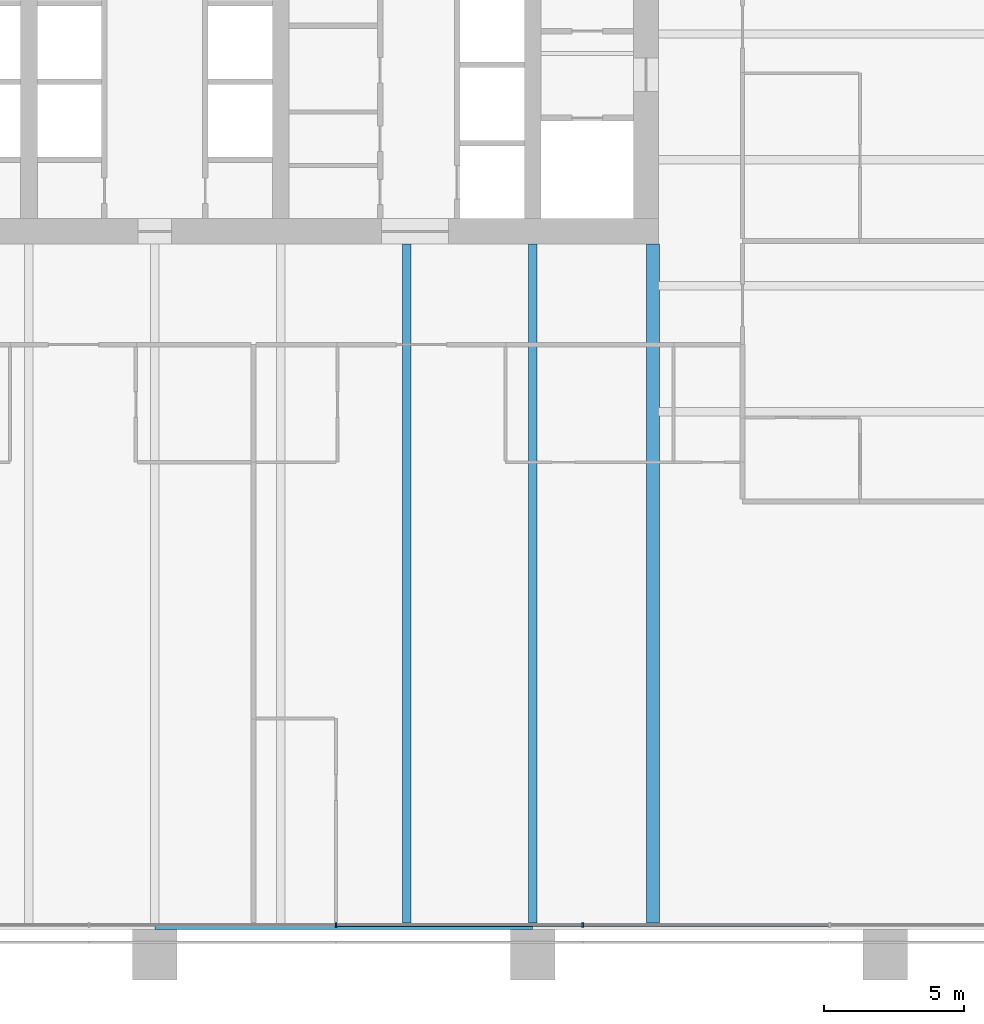
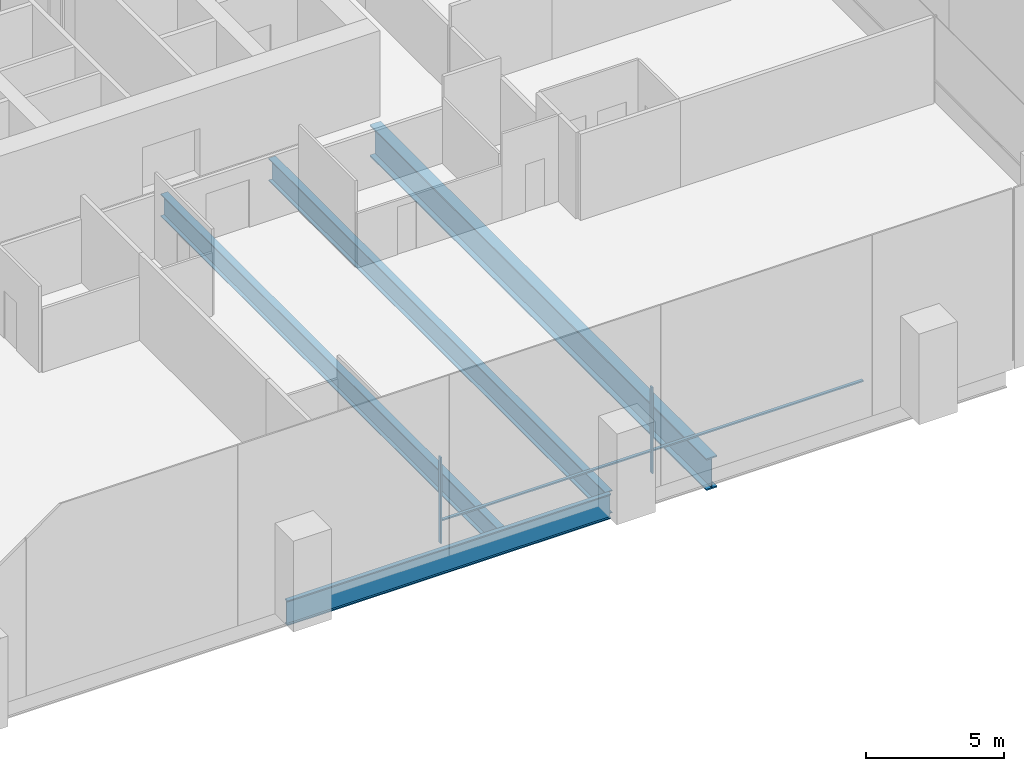
# One storey, part 5 of 19: 4 beams, 4 members, 1 element without a shape of its own.
"""IFC4 building model written with IfcOpenShell, lengths in metres."""

from ifc_helpers import new_model, si_unit, direction, frame, origin, origin_2d, place, context, subcontext, project, spatial, rectangle, i_section, extrude, material, material_profile, profile_set, type_object, element, aggregate, save


model = new_model("IFC4")

# Units and contexts
model_context = context("Model", 3, precision=1e-05, world=origin(), true_north=direction((0.0, 1.0)))
body_context = subcontext(model_context, "Body", "Model", "MODEL_VIEW")
ifc_project = project(units=[si_unit("LENGTHUNIT", "METRE"), si_unit("AREAUNIT", "SQUARE_METRE"), si_unit("VOLUMEUNIT", "CUBIC_METRE"), si_unit("PLANEANGLEUNIT", "RADIAN"), si_unit("MASSUNIT", "GRAM", prefix="KILO")], contexts=[model_context])

# Site, building, storey
site_placement = place(None, origin())
site = spatial("IfcSite", under=ifc_project, at=site_placement, CompositionType="ELEMENT")
building_placement = place(site_placement, origin())
building = spatial("IfcBuilding", under=site, at=building_placement, Name="Rattan Terrace Tower", CompositionType="ELEMENT")
storey_placement = place(building_placement, frame((0.0, 0.0, 79.699951171875)))
storey = spatial("IfcBuildingStorey", under=building, at=storey_placement, Name="L17", CompositionType="ELEMENT", Elevation=79.699951171875)

# Curtain wall, members
ifc_material_1 = material(Name="Aluminium and glass", Category="aluminium")
curtain_wall_type = type_object("IfcCurtainWallType", Name="Facade Unitised Curtain Wall", PredefinedType="NOTDEFINED", material=ifc_material_1)
curtain_wall_placement = place(storey_placement, origin())
curtain_wall = element("IfcCurtainWall", 1, at=curtain_wall_placement, inside=storey, type_object=curtain_wall_type, Name="Curtain wall L17-4", PredefinedType="NOTDEFINED")
ifc_material_2 = material(Name="Aluminium", Category="aluminium")
ifc_material_profile_1 = material_profile(ifc_material_2, rectangle(XDim=0.06005859375, YDim=0.159912109375, at=origin_2d()), Name="Aluminium 60x160")
ifc_profile_set_1 = profile_set([ifc_material_profile_1], Name="Aluminium")
member_type_1 = type_object("IfcMemberType", Name="Facade CW Mullion 60x160", PredefinedType="MULLION", material=ifc_profile_set_1)
member_1_placement = place(storey_placement, frame((6.468994140625, -31.830078125, 0.0), z_axis=(0.0, 0.0, 1.0), x_axis=(1.0, 0.0, 0.0)))
member_1 = element("IfcMember", 2, at=member_1_placement, type_object=member_type_1, Name="Mullion cwl-L17-004.4", PredefinedType="MULLION", context=body_context, shape_type="SweptSolid", body=[
    extrude(rectangle(XDim=0.06005859375, YDim=0.159912109375, at=origin_2d()), origin(), (0.0, 0.0, 1.0), 3.800048828125),
])
member_2_placement = place(storey_placement, frame((15.2919921875, -31.830078125, 0.0), z_axis=(0.0, 0.0, 1.0), x_axis=(1.0, 0.0, 0.0)))
member_2 = element("IfcMember", 3, at=member_2_placement, type_object=member_type_1, Name="Mullion cwl-L17-004.5", PredefinedType="MULLION", context=body_context, shape_type="SweptSolid", body=[
    extrude(rectangle(XDim=0.06005859375, YDim=0.159912109375, at=origin_2d()), origin(), (0.0, 0.0, 1.0), 3.800048828125),
])
ifc_material_3 = material(Name="Aluminium", Category="aluminium")
ifc_material_profile_2 = material_profile(ifc_material_3, rectangle(XDim=0.1201171875, YDim=0.06005859375, at=origin_2d()), Name="Aluminium 120x60")
ifc_profile_set_2 = profile_set([ifc_material_profile_2], Name="Aluminium")
member_type_2 = type_object("IfcMemberType", Name="Facade CW Transom 120x60", PredefinedType="USERDEFINED", material=ifc_profile_set_2)
member_3_placement = place(storey_placement, frame((6.4990234375, -31.830078125, 1.0), z_axis=(1.0, 0.0, 0.0), x_axis=(0.0, 1.0, 0.0)))
member_3 = element("IfcMember", 4, at=member_3_placement, type_object=member_type_2, Name="Transom cwl-L17-004.4", ObjectType="TRANSOM", PredefinedType="USERDEFINED", context=body_context, shape_type="SweptSolid", body=[
    extrude(rectangle(XDim=0.1201171875, YDim=0.06005859375, at=origin_2d()), origin(), (0.0, 0.0, 1.0), 8.762939453125),
])
member_4_placement = place(storey_placement, frame((15.322021484375, -31.830078125, 1.0), z_axis=(1.0, 0.0, 0.0), x_axis=(0.0, 1.0, 0.0)))
member_4 = element("IfcMember", 5, at=member_4_placement, type_object=member_type_2, Name="Transom cwl-L17-004.5", ObjectType="TRANSOM", PredefinedType="USERDEFINED", context=body_context, shape_type="SweptSolid", body=[
    extrude(rectangle(XDim=0.1201171875, YDim=0.06005859375, at=origin_2d()), origin(), (0.0, 0.0, 1.0), 8.762939453125),
])
aggregate(curtain_wall, [member_1, member_2, member_3, member_4])

# Beams
ifc_material_4 = material(Name="Steel S460", Category="steel")
ifc_material_profile_3 = material_profile(ifc_material_4, i_section(OverallWidth=0.449951171875, OverallDepth=1.39990234375, WebThickness=0.02197265625, FlangeThickness=0.054931640625, at=origin_2d()), Name="PG 1400x450-22-55")
ifc_profile_set_3 = profile_set([ifc_material_profile_3], Name="Steel S460")
beam_type_1 = type_object("IfcBeamType", Name="Frame core girder PG 1400x450-22-55", PredefinedType="BEAM", material=ifc_profile_set_3)
beam_1_placement = place(storey_placement, frame((17.800048828125, -31.820068359375, -0.89990234375), z_axis=(0.0, 1.0, 0.0), x_axis=(-1.0, 0.0, 0.0)))
element("IfcBeam", 6, at=beam_1_placement, inside=storey, type_object=beam_type_1, Name="gdr-L17-009", PredefinedType="BEAM", context=body_context, shape_type="SweptSolid", body=[
    extrude(i_section(OverallWidth=0.449951171875, OverallDepth=1.39990234375, WebThickness=0.02197265625, FlangeThickness=0.054931640625, at=origin_2d()), origin(), (0.0, 0.0, 1.0), 24.320068359375),
])
ifc_material_5 = material(Name="Steel S460", Category="steel")
ifc_material_profile_4 = material_profile(ifc_material_5, i_section(OverallWidth=0.179931640625, OverallDepth=1.10009765625, WebThickness=0.01611328125, FlangeThickness=0.050048828125, at=origin_2d()), Name="PG 1100x180-16-50")
ifc_profile_set_4 = profile_set([ifc_material_profile_4], Name="Steel S460")
beam_type_2 = type_object("IfcBeamType", Name="Frame edge girder PG 1100x180-16-50", PredefinedType="SPANDREL", material=ifc_profile_set_4)
beam_2_placement = place(storey_placement, frame((0.0, -31.909912109375, -0.75), z_axis=(1.0, 0.0, 0.0), x_axis=(0.0, 1.0, 0.0)))
element("IfcBeam", 7, at=beam_2_placement, inside=storey, type_object=beam_type_2, Name="gdr-L17-002", PredefinedType="SPANDREL", context=body_context, shape_type="SweptSolid", body=[
    extrude(i_section(OverallWidth=0.179931640625, OverallDepth=1.10009765625, WebThickness=0.01611328125, FlangeThickness=0.050048828125, at=origin_2d()), origin(), (0.0, 0.0, 1.0), 13.5),
])
ifc_material_6 = material(Name="Steel S460", Category="steel")
ifc_material_profile_5 = material_profile(ifc_material_6, i_section(OverallWidth=0.300048828125, OverallDepth=1.0, WebThickness=0.013916015625, FlangeThickness=0.0400390625, at=origin_2d()), Name="PG 1000x300-14-40")
ifc_profile_set_5 = profile_set([ifc_material_profile_5], Name="Steel S460")
beam_type_3 = type_object("IfcBeamType", Name="Frame floor beam PG 1000x300-14-40", PredefinedType="JOIST", material=ifc_profile_set_5)
for number, where, z_axis, x_axis, name in (
    (8, (9.0, -31.820068359375, -0.699951171875), (0.0, 1.0, 0.0), (-1.0, 0.0, 0.0), "bm-L17-008"),
    (9, (13.5, -31.820068359375, -0.699951171875), (0.0, 1.0, 0.0), (-1.0, 0.0, 0.0), "bm-L17-009"),
):
    element("IfcBeam", number, at=place(storey_placement, frame(where, z_axis=z_axis, x_axis=x_axis)), inside=storey, type_object=beam_type_3, Name=name, PredefinedType="JOIST", context=body_context, shape_type="SweptSolid", body=[
        extrude(i_section(OverallWidth=0.300048828125, OverallDepth=1.0, WebThickness=0.013916015625, FlangeThickness=0.0400390625, at=origin_2d()), origin(), (0.0, 0.0, 1.0), 24.320068359375),
    ])

save(model, "model.ifc")
